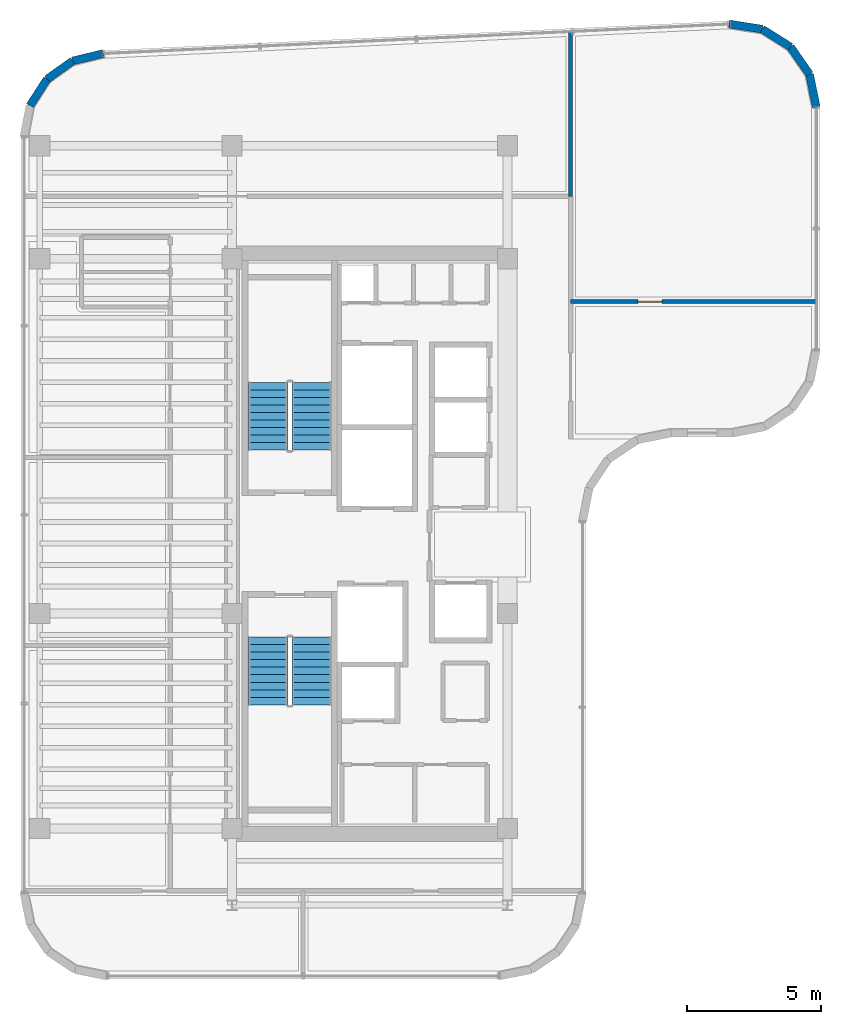
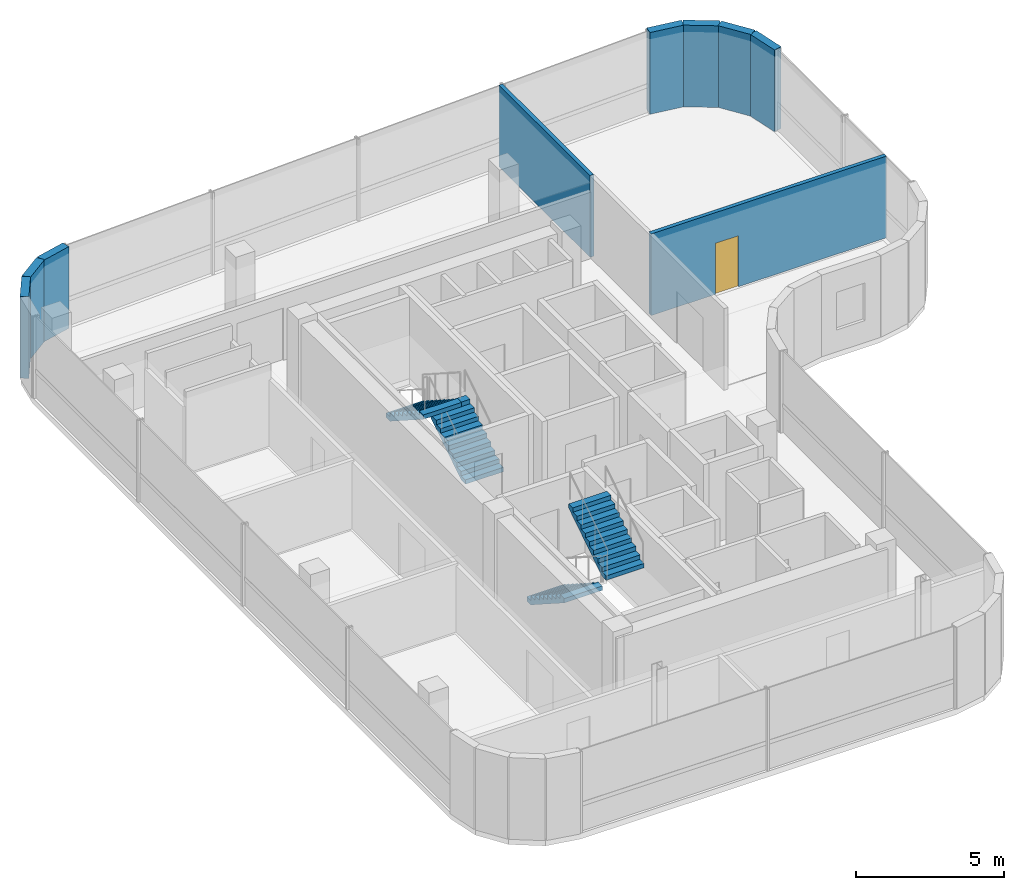
# One storey, part 15 of 17: 9 walls, 4 stair flights, 1 door, 1 opening, 2 elements without a shape of their own.
"""IFC4 building model written with IfcOpenShell, lengths in metres."""

from ifc_helpers import new_model, si_unit, direction, frame, frame_2d, origin, place, context, subcontext, project, spatial, polyline, rectangle, outline, extrude, material, layer, layer_set, type_object, element, fill, aggregate, save


model = new_model("IFC4")

# Units and contexts
model_context = context("Model", 3, precision=1e-05, world=origin(), true_north=direction((0.0, 1.0)))
body_context = subcontext(model_context, "Body", "Model", "MODEL_VIEW")
ifc_project = project(units=[si_unit("LENGTHUNIT", "METRE"), si_unit("AREAUNIT", "SQUARE_METRE"), si_unit("VOLUMEUNIT", "CUBIC_METRE"), si_unit("PLANEANGLEUNIT", "RADIAN"), si_unit("MASSUNIT", "GRAM", prefix="KILO")], contexts=[model_context])

# Site, building, storey
site_placement = place(None, origin())
site = spatial("IfcSite", under=ifc_project, at=site_placement, CompositionType="ELEMENT")
building_placement = place(site_placement, origin())
building = spatial("IfcBuilding", under=site, at=building_placement, Name="Valdorenza Pilgrim Sanctuary Tower", CompositionType="ELEMENT")
storey_placement = place(building_placement, frame((0.0, 0.0, 287.0)))
storey = spatial("IfcBuildingStorey", under=building, at=storey_placement, Name="L75", CompositionType="ELEMENT", Elevation=287.0)

# Walls
ifc_material_1 = material(Name="Honed travertine limestone", Category="masonry")
ifc_layer_1 = layer(ifc_material_1, 0.300048828125, Name="Honed travertine limestone")
ifc_layer_set_1 = layer_set([ifc_layer_1], Name="Honed travertine limestone")
wall_type_1 = type_object("IfcWallType", Name="WAL-EXT-300", PredefinedType="SOLIDWALL", material=ifc_layer_set_1)
wall_1_placement = place(storey_placement, frame((-30.16650390625, 16.29541015625, 0.0), z_axis=(0.0, 0.0, 1.0), x_axis=(0.540842020947, 0.841124193195, 0.0)))
element("IfcWall", 1, at=wall_1_placement, inside=storey, type_object=wall_type_1, Name="L75 Rounded Wind-Corner Stone Pier 3", PredefinedType="SOLIDWALL", context=body_context, shape_type="SweptSolid", body=[
    extrude(rectangle(XDim=1.169189453125, YDim=0.300048828125, at=frame_2d((0.58447265625, 0.0))), origin(), (0.0, 0.0, 1.0), 3.360107421875),
])
wall_2_placement = place(storey_placement, frame((-29.5341796875, 17.27880859375, 0.0), z_axis=(0.0, 0.0, 1.0), x_axis=(0.81466371606, 0.579933642527, 0.0)))
element("IfcWall", 2, at=wall_2_placement, inside=storey, type_object=wall_type_1, Name="L75 Rounded Wind-Corner Stone Pier 4", PredefinedType="SOLIDWALL", context=body_context, shape_type="SweptSolid", body=[
    extrude(rectangle(XDim=1.1689453125, YDim=0.300048828125, at=frame_2d((0.58447265625, 0.0))), origin(), (0.0, 0.0, 1.0), 3.360107421875),
])
wall_3_placement = place(storey_placement, frame((-28.581787109375, 17.956787109375, 0.0), z_axis=(0.0, 0.0, 1.0), x_axis=(0.971929016595, 0.235274279725, 0.0)))
element("IfcWall", 3, at=wall_3_placement, inside=storey, type_object=wall_type_1, Name="L75 Rounded Wind-Corner Stone Pier 5", PredefinedType="SOLIDWALL", context=body_context, shape_type="SweptSolid", body=[
    extrude(rectangle(XDim=1.179931640625, YDim=0.300048828125, at=frame_2d((0.58984375, 0.0))), origin(), (0.0, 0.0, 1.0), 3.360107421875),
])
wall_4_placement = place(storey_placement, frame((-4.15673828125, 19.331787109375, 0.0), z_axis=(0.0, 0.0, 1.0), x_axis=(0.987969236552, -0.15465053387, 0.0)))
element("IfcWall", 4, at=wall_4_placement, inside=storey, type_object=wall_type_1, Name="L75 Rounded Wind-Corner Stone Pier 7", PredefinedType="SOLIDWALL", context=body_context, shape_type="SweptSolid", body=[
    extrude(rectangle(XDim=1.251953125, YDim=0.300048828125, at=frame_2d((0.6259765625, 0.0))), origin(), (0.0, 0.0, 1.0), 3.360107421875),
])
for number, where, z_axis, x_axis, name in (
    (5, (-2.919921875, 19.13818359375, 0.0), (0.0, 0.0, 1.0), (0.847489288141, -0.530812496543, 0.0), "L75 Rounded Wind-Corner Stone Pier 8"),
    (6, (-1.86865234375, 18.479736328125, 0.0), (0.0, 0.0, 1.0), (0.570181861951, -0.821518499063, 0.0), "L75 Rounded Wind-Corner Stone Pier 9"),
):
    element("IfcWall", number, at=place(storey_placement, frame(where, z_axis=z_axis, x_axis=x_axis)), inside=storey, type_object=wall_type_1, Name=name, PredefinedType="SOLIDWALL", context=body_context, shape_type="SweptSolid", body=[
        extrude(rectangle(XDim=1.240478515625, YDim=0.300048828125, at=frame_2d((0.6201171875, 0.0))), origin(), (0.0, 0.0, 1.0), 3.360107421875),
    ])
wall_5_placement = place(storey_placement, frame((-1.161376953125, 17.460693359375, 0.0), z_axis=(0.0, 0.0, 1.0), x_axis=(0.20087696073, -0.979616479367, 0.0)))
element("IfcWall", 7, at=wall_5_placement, inside=storey, type_object=wall_type_1, Name="L75 Rounded Wind-Corner Stone Pier 10", PredefinedType="SOLIDWALL", context=body_context, shape_type="SweptSolid", body=[
    extrude(rectangle(XDim=1.251953125, YDim=0.300048828125, at=frame_2d((0.6259765625, 0.0))), origin(), (0.0, 0.0, 1.0), 3.360107421875),
])
ifc_material_2 = material(Name="Acoustic twin-stud gypsum partition", Category="gypsum")
ifc_layer_2 = layer(ifc_material_2, 0.14990234375, Name="Acoustic twin-stud gypsum partition")
ifc_layer_set_2 = layer_set([ifc_layer_2], Name="Acoustic twin-stud gypsum partition")
wall_type_2 = type_object("IfcWallType", Name="WAL-UNT-150", PredefinedType="PARTITIONING", material=ifc_layer_set_2)
wall_6_placement = place(storey_placement, frame((-10.050048828125, 12.919921875, 0.0), z_axis=(0.0, 0.0, 1.0), x_axis=(0.0, 1.0, 0.0)))
element("IfcWall", 8, at=wall_6_placement, inside=storey, type_object=wall_type_2, Name="L75 Sky North Salon East Wall", PredefinedType="PARTITIONING", context=body_context, shape_type="SweptSolid", body=[
    extrude(rectangle(XDim=6.134033203125, YDim=0.14990234375, at=frame_2d((3.06689453125, 0.0))), origin(), (0.0, 0.0, 1.0), 3.360107421875),
])

# Wall, opening, door
wall_7_placement = place(storey_placement, frame((-10.050048828125, 9.0, 0.0), z_axis=(0.0, 0.0, 1.0), x_axis=(1.0, 0.0, 0.0)))
wall_7 = element("IfcWall", 9, at=wall_7_placement, inside=storey, type_object=wall_type_2, Name="L75 Sky East Divider Wall", PredefinedType="PARTITIONING", context=body_context, shape_type="SweptSolid", body=[
    extrude(rectangle(XDim=9.14013671875, YDim=0.14990234375, at=frame_2d((4.570068359375, 0.0))), origin(), (0.0, 0.0, 1.0), 3.360107421875),
])
opening_placement = place(wall_7_placement, frame((2.5, 0.0, 0.0)))
opening = element("IfcOpeningElement", 10, at=opening_placement, cuts=wall_7, Name="Opening DR-RM1", PredefinedType="OPENING", context=body_context, shape_type="SweptSolid", body=[
    extrude(rectangle(XDim=0.89990234375, YDim=2.10009765625, at=frame_2d((0.449951171875, 1.050048828125))), frame((0.0, 0.08984375, 0.0), z_axis=(0.0, -1.0, 0.0), x_axis=(1.0, 0.0, 0.0)), (0.0, 0.0, 1.0), 0.1796875),
])
ifc_material_3 = material(Name="Solid-core European oak timber", Category="wood")
door_type = type_object("IfcDoorType", Name="DR-ROOM-900", OperationType="NOTDEFINED", PredefinedType="DOOR", material=ifc_material_3)
door_placement = place(opening_placement, origin())
door = element("IfcDoor", 11, at=door_placement, inside=storey, type_object=door_type, Name="L75 Sky East Salon Door", OperationType="SINGLE_SWING_RIGHT", OverallHeight=2.10009765625, OverallWidth=0.89990234375, PredefinedType="DOOR", context=body_context, shape_type="SweptSolid", body=[
    extrude(rectangle(XDim=0.89990234375, YDim=2.10009765625, at=frame_2d((0.449951171875, 1.050048828125))), frame((0.0, 0.02490234375, 0.0), z_axis=(0.0, -1.0, 0.0), x_axis=(1.0, 0.0, 0.0)), (0.0, 0.0, 1.0), 0.050048828125),
])
fill(opening, door)

# Stair, stair flights
ifc_material_4 = material(Name="Concrete C40/50", Category="concrete")
stair_type = type_object("IfcStairType", Name="STR-DOG-CORE", PredefinedType="HALF_TURN_STAIR", material=ifc_material_4)
stair_1_placement = place(storey_placement, origin())
stair_1 = element("IfcStair", 12, at=stair_1_placement, inside=storey, type_object=stair_type, Name="L75 ST-A1", PredefinedType="HALF_TURN_STAIR")
stair_flight_type = type_object("IfcStairFlightType", Name="STF-RC-1400", PredefinedType="STRAIGHT", material=ifc_material_4)
stair_flight_1_placement = place(storey_placement, frame((-19.679931640625, 3.47998046875, 0.0), z_axis=(0.0, 0.0, 1.0), x_axis=(0.0, 1.0, 0.0)))
stair_flight_1 = element("IfcStairFlight", 13, at=stair_flight_1_placement, type_object=stair_flight_type, Name="ST-A1 flight 1", NumberOfRisers=10, NumberOfTreads=9, PredefinedType="STRAIGHT", RiserHeight=0.18, TreadLength=0.28, context=body_context, shape_type="SweptSolid", body=[
    extrude(outline(polyline([(0.0, 0.0), (0.0, 0.179931640625), (0.280029296875, 0.179931640625), (0.280029296875, 0.360107421875), (0.56005859375, 0.360107421875), (0.56005859375, 0.5400390625), (0.840087890625, 0.5400390625), (0.840087890625, 0.719970703125), (1.1201171875, 0.719970703125), (1.1201171875, 0.89990234375), (1.39990234375, 0.89990234375), (1.39990234375, 1.080078125), (1.679931640625, 1.080078125), (1.679931640625, 1.260009765625), (1.9599609375, 1.260009765625), (1.9599609375, 1.43994140625), (2.239990234375, 1.43994140625), (2.239990234375, 1.6201171875), (2.52001953125, 1.6201171875), (2.52001953125, 1.800048828125), (2.52001953125, 1.44189453125), (0.277099609375, 0.0), (0.0, 0.0)])), frame((0.0, 0.739990234375, 0.0), z_axis=(0.0, -1.0, 0.0), x_axis=(1.0, 0.0, 0.0)), (0.0, 0.0, 1.0), 1.47998046875),
])
stair_flight_2_placement = place(storey_placement, frame((-21.31005859375, 6.0, 1.800048828125), z_axis=(0.0, 0.0, 1.0), x_axis=(0.0, -1.0, 0.0)))
stair_flight_2 = element("IfcStairFlight", 14, at=stair_flight_2_placement, type_object=stair_flight_type, Name="ST-A1 flight 2", NumberOfRisers=10, NumberOfTreads=9, PredefinedType="STRAIGHT", RiserHeight=0.18, TreadLength=0.28, context=body_context, shape_type="SweptSolid", body=[
    extrude(outline(polyline([(0.0, 0.0), (0.0, 0.179931640625), (0.280029296875, 0.179931640625), (0.280029296875, 0.360107421875), (0.56005859375, 0.360107421875), (0.56005859375, 0.5400390625), (0.840087890625, 0.5400390625), (0.840087890625, 0.719970703125), (1.1201171875, 0.719970703125), (1.1201171875, 0.89990234375), (1.39990234375, 0.89990234375), (1.39990234375, 1.080078125), (1.679931640625, 1.080078125), (1.679931640625, 1.260009765625), (1.9599609375, 1.260009765625), (1.9599609375, 1.43994140625), (2.239990234375, 1.43994140625), (2.239990234375, 1.6201171875), (2.52001953125, 1.6201171875), (2.52001953125, 1.800048828125), (2.52001953125, 1.44189453125), (0.277099609375, 0.0), (0.0, 0.0)])), frame((0.0, 0.739990234375, 0.0), z_axis=(0.0, -1.0, 0.0), x_axis=(1.0, 0.0, 0.0)), (0.0, 0.0, 1.0), 1.47998046875),
])
aggregate(stair_1, [stair_flight_1, stair_flight_2])

stair_2_placement = place(storey_placement, origin())
stair_2 = element("IfcStair", 15, at=stair_2_placement, inside=storey, type_object=stair_type, Name="L75 ST-A2", PredefinedType="HALF_TURN_STAIR")
stair_flight_3_placement = place(storey_placement, frame((-21.31005859375, -3.47998046875, 0.0), z_axis=(0.0, 0.0, 1.0), x_axis=(0.0, -1.0, 0.0)))
stair_flight_3 = element("IfcStairFlight", 16, at=stair_flight_3_placement, type_object=stair_flight_type, Name="ST-A2 flight 1", NumberOfRisers=10, NumberOfTreads=9, PredefinedType="STRAIGHT", RiserHeight=0.18, TreadLength=0.28, context=body_context, shape_type="SweptSolid", body=[
    extrude(outline(polyline([(0.0, 0.0), (0.0, 0.179931640625), (0.280029296875, 0.179931640625), (0.280029296875, 0.360107421875), (0.56005859375, 0.360107421875), (0.56005859375, 0.5400390625), (0.840087890625, 0.5400390625), (0.840087890625, 0.719970703125), (1.1201171875, 0.719970703125), (1.1201171875, 0.89990234375), (1.39990234375, 0.89990234375), (1.39990234375, 1.080078125), (1.679931640625, 1.080078125), (1.679931640625, 1.260009765625), (1.9599609375, 1.260009765625), (1.9599609375, 1.43994140625), (2.239990234375, 1.43994140625), (2.239990234375, 1.6201171875), (2.52001953125, 1.6201171875), (2.52001953125, 1.800048828125), (2.52001953125, 1.44189453125), (0.277099609375, 0.0), (0.0, 0.0)])), frame((0.0, 0.739990234375, 0.0), z_axis=(0.0, -1.0, 0.0), x_axis=(1.0, 0.0, 0.0)), (0.0, 0.0, 1.0), 1.47998046875),
])
stair_flight_4_placement = place(storey_placement, frame((-19.679931640625, -6.0, 1.800048828125), z_axis=(0.0, 0.0, 1.0), x_axis=(0.0, 1.0, 0.0)))
stair_flight_4 = element("IfcStairFlight", 17, at=stair_flight_4_placement, type_object=stair_flight_type, Name="ST-A2 flight 2", NumberOfRisers=10, NumberOfTreads=9, PredefinedType="STRAIGHT", RiserHeight=0.18, TreadLength=0.28, context=body_context, shape_type="SweptSolid", body=[
    extrude(outline(polyline([(0.0, 0.0), (0.0, 0.179931640625), (0.280029296875, 0.179931640625), (0.280029296875, 0.360107421875), (0.56005859375, 0.360107421875), (0.56005859375, 0.5400390625), (0.840087890625, 0.5400390625), (0.840087890625, 0.719970703125), (1.1201171875, 0.719970703125), (1.1201171875, 0.89990234375), (1.39990234375, 0.89990234375), (1.39990234375, 1.080078125), (1.679931640625, 1.080078125), (1.679931640625, 1.260009765625), (1.9599609375, 1.260009765625), (1.9599609375, 1.43994140625), (2.239990234375, 1.43994140625), (2.239990234375, 1.6201171875), (2.52001953125, 1.6201171875), (2.52001953125, 1.800048828125), (2.52001953125, 1.44189453125), (0.277099609375, 0.0), (0.0, 0.0)])), frame((0.0, 0.739990234375, 0.0), z_axis=(0.0, -1.0, 0.0), x_axis=(1.0, 0.0, 0.0)), (0.0, 0.0, 1.0), 1.47998046875),
])
aggregate(stair_2, [stair_flight_3, stair_flight_4])

save(model, "model.ifc")
